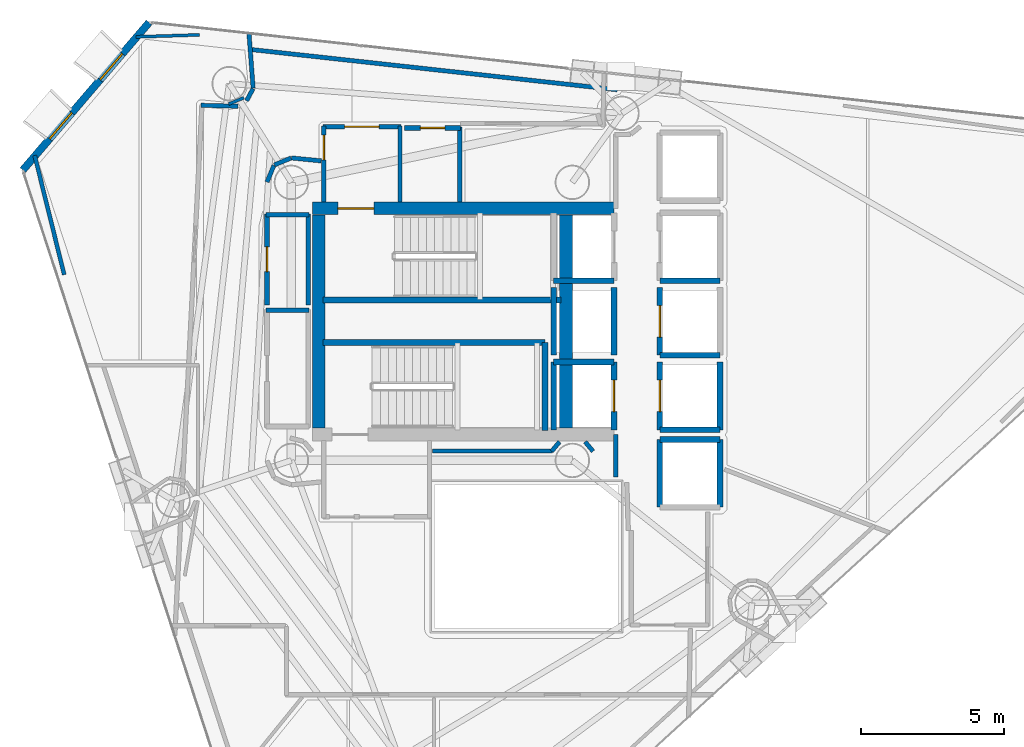
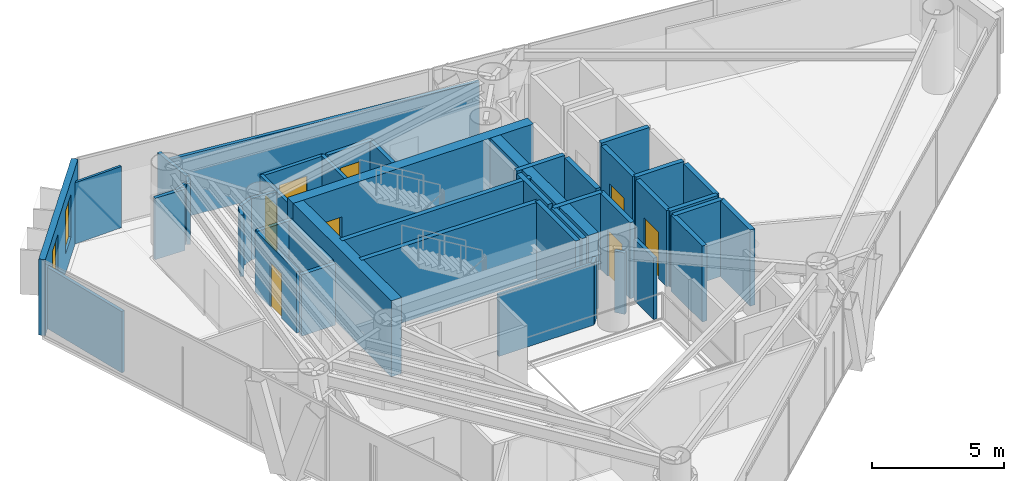
# One storey, part 20 of 24: 45 walls, 8 doors, 2 windows, 10 openings.
"""IFC4 building model written with IfcOpenShell, lengths in metres."""

import ifcopenshell
import ifcopenshell.guid

model = None  # the IFC model being written
_history = None  # IfcOwnerHistory: only IFC2X3 demands one
_inside = {}  # id of a spatial element -> (the spatial element, [elements in it])
_under = {}  # id of a project, library or spatial element -> (it, [spatial elements below it])
_declared = {}  # id of a project -> (the project, [libraries it declares])
_typed = {}  # id of a type object -> (the type object, [elements of that type])
_made_of = {}  # id of a material, layer set ... -> (it, [elements and type objects made of it])


def new_model(schema):
    """Start an empty IFC model of exactly this schema.

    Asked for "IFC4X3", IfcOpenShell would pick the latest addendum, in which some entities
    have other attributes; the version numbers below select the first issue.
    IFC2X3 requires an IfcOwnerHistory on every rooted entity: one is made here for all.
    """
    global model, _history
    if schema == "IFC4X3":
        model = ifcopenshell.file(schema_version=(4, 3, 0, 0))
    else:
        model = ifcopenshell.file(schema=schema)
    _inside.clear()
    _under.clear()
    _declared.clear()
    _typed.clear()
    _made_of.clear()
    _history = None
    if model.schema == "IFC2X3":
        org = make("IfcOrganization", Name="unknown")
        user = make(
            "IfcPersonAndOrganization",
            ThePerson=make("IfcPerson", FamilyName="unknown"),
            TheOrganization=org,
        )
        app = make(
            "IfcApplication",
            ApplicationDeveloper=org,
            Version="unknown",
            ApplicationFullName="unknown",
            ApplicationIdentifier="unknown",
        )
        _history = make(
            "IfcOwnerHistory",
            OwningUser=user,
            OwningApplication=app,
            ChangeAction="ADDED",
            CreationDate=0,
        )
    return model


def make(cls, **values):
    """One entity of the class cls with the attributes given. An attribute that is None is left unset."""
    return model.create_entity(
        cls, **{name: value for name, value in values.items() if value is not None}
    )


def rooted(cls, **values):
    """An entity with a GlobalId (a new one), such as an element, a storey or a relation."""
    return make(cls, GlobalId=ifcopenshell.guid.new(), OwnerHistory=_history, **values)


def si_unit(unit_type, name, prefix=None):
    """IfcSIUnit, for example si_unit("LENGTHUNIT", "METRE", prefix="MILLI")."""
    return make("IfcSIUnit", UnitType=unit_type, Prefix=prefix, Name=name)


def assignment(units):
    """IfcUnitAssignment: the units of a project."""
    return None if units is None else make("IfcUnitAssignment", Units=units)


def point(xyz):
    """IfcCartesianPoint."""
    return None if xyz is None else make("IfcCartesianPoint", Coordinates=xyz)


def direction(xyz):
    """IfcDirection."""
    return None if xyz is None else make("IfcDirection", DirectionRatios=xyz)


def frame(location, z_axis=None, x_axis=None):
    """IfcAxis2Placement3D, a coordinate frame: its origin and axes. An axis left out is left unset."""
    return make(
        "IfcAxis2Placement3D",
        Location=point(location),
        Axis=direction(z_axis),
        RefDirection=direction(x_axis),
    )


def frame_2d(location, x_axis=None):
    """IfcAxis2Placement2D, a coordinate frame in the plane: its origin and x axis."""
    return make(
        "IfcAxis2Placement2D", Location=point(location), RefDirection=direction(x_axis)
    )


def origin():
    """The frame at (0, 0, 0) with its axes left unset."""
    return frame((0.0, 0.0, 0.0))


def place(relative_to, where):
    """IfcLocalPlacement: puts the frame where relative to a parent placement (None: the world)."""
    return make(
        "IfcLocalPlacement", PlacementRelTo=relative_to, RelativePlacement=where
    )


def context(
    kind, dimensions, precision=None, world=None, true_north=None, identifier=None
):
    """IfcGeometricRepresentationContext, for example the 3D "Model" context."""
    return make(
        "IfcGeometricRepresentationContext",
        ContextIdentifier=identifier,
        ContextType=kind,
        CoordinateSpaceDimension=dimensions,
        Precision=precision,
        WorldCoordinateSystem=world,
        TrueNorth=true_north,
    )


def subcontext(parent, identifier, kind, view, scale=None):
    """IfcGeometricRepresentationSubContext, for example "Body" below "Model"."""
    return make(
        "IfcGeometricRepresentationSubContext",
        ContextIdentifier=identifier,
        ContextType=kind,
        ParentContext=parent,
        TargetScale=scale,
        TargetView=view,
    )


def project(units=None, contexts=None):
    """IfcProject with its units and contexts."""
    return rooted(
        "IfcProject",
        Name="project",
        RepresentationContexts=contexts,
        UnitsInContext=assignment(units),
    )


def spatial(cls, under=None, at=None, **own):
    """A site, building, storey or space (cls), placed at a placement, below another one or the project."""
    s = rooted(cls, ObjectPlacement=at, **own)
    if under is not None:
        _under.setdefault(under.id(), (under, []))[1].append(s)
    return s


def profile(cls, at=None, kind="AREA", **sizes):
    """A parametric profile (cls). Its sizes go by their IFC names, for example OverallWidth=200.0."""
    return make(cls, ProfileType=kind, Position=at, **sizes)


def rectangle(**sizes):
    """IfcRectangleProfileDef."""
    return profile("IfcRectangleProfileDef", **sizes)


def extrude(swept, where, along, depth):
    """IfcExtrudedAreaSolid: the profile swept, set in the frame where, extruded along a direction by depth."""
    return make(
        "IfcExtrudedAreaSolid",
        SweptArea=swept,
        Position=where,
        ExtrudedDirection=direction(along),
        Depth=depth,
    )


def shape(context_of_items, identifier, shape_type, items):
    """IfcShapeRepresentation: the items that make up one representation, for example the "Body"."""
    return make(
        "IfcShapeRepresentation",
        ContextOfItems=context_of_items,
        RepresentationIdentifier=identifier,
        RepresentationType=shape_type,
        Items=items,
    )


def material(Name=None, Category=None):
    """IfcMaterial."""
    return make("IfcMaterial", Name=Name, Category=Category)


def layer(
    of_material, thickness, ventilated=None, Name=None, Category=None, Priority=None
):
    """IfcMaterialLayer: one layer of a wall or slab, of a material (None: an air gap)."""
    return make(
        "IfcMaterialLayer",
        Material=of_material,
        LayerThickness=thickness,
        IsVentilated=ventilated,
        Name=Name,
        Category=Category,
        Priority=Priority,
    )


def layer_set(layers, Name=None):
    """IfcMaterialLayerSet."""
    return make("IfcMaterialLayerSet", MaterialLayers=layers, LayerSetName=Name)


def made_of(thing, what):
    """Note that an element or type object is made of a material, layer set ...; save() writes the relation."""
    if what is not None:
        _made_of.setdefault(what.id(), (what, []))[1].append(thing)
    return thing


def type_object(cls, material=None, **own):
    """A type object (cls), such as IfcWallType, which elements share."""
    return made_of(rooted(cls, **own), material)


def element(
    cls,
    number,
    at=None,
    inside=None,
    cuts=None,
    type_object=None,
    material=None,
    context=None,
    identifier="Body",
    shape_type=None,
    held_by="IfcProductDefinitionShape",
    body=None,
    shapes=None,
    **own,
):
    """One element of the class cls, such as IfcWall. Its Tag is "e" and its number.

    at: its placement. inside: the storey or other place that contains it. cuts: it is an
    opening in that element (IfcRelVoidsElement). A single representation is given by context,
    identifier, shape_type and body (its items); several are given by shapes. held_by: the class
    of the entity that holds the representations. save() writes the other relations.
    """
    e = rooted(cls, Tag="e%d" % number, ObjectPlacement=at, **own)
    if body is not None:
        shapes = [shape(context, identifier, shape_type, body)]
    if shapes is not None:
        e.Representation = make(held_by, Representations=shapes)
    if inside is not None:
        _inside.setdefault(inside.id(), (inside, []))[1].append(e)
    if cuts is not None:
        rooted(
            "IfcRelVoidsElement", RelatingBuildingElement=cuts, RelatedOpeningElement=e
        )
    if type_object is not None:
        _typed.setdefault(type_object.id(), (type_object, []))[1].append(e)
    return made_of(e, material)


def fill(opening, filler):
    """IfcRelFillsElement: the door or window that sits in an opening."""
    return rooted(
        "IfcRelFillsElement",
        RelatingOpeningElement=opening,
        RelatedBuildingElement=filler,
    )


def aggregate(whole, parts):
    """IfcRelAggregates: a whole, such as a stair, and the parts it consists of."""
    return rooted("IfcRelAggregates", RelatingObject=whole, RelatedObjects=parts)


def save(model, path):
    """Write the relations noted so far, then the file.

    IfcRelAggregates (storeys below a building ...), IfcRelContainedInSpatialStructure (elements
    in a storey), IfcRelDefinesByType, IfcRelAssociatesMaterial and IfcRelDeclares: one each for
    every whole, place, type object, material and project.
    """
    for whole, parts in _under.values():
        aggregate(whole, parts)
    for where, things in _inside.values():
        rooted(
            "IfcRelContainedInSpatialStructure",
            RelatedElements=things,
            RelatingStructure=where,
        )
    for kind, things in _typed.values():
        rooted("IfcRelDefinesByType", RelatedObjects=things, RelatingType=kind)
    for what, things in _made_of.values():
        rooted("IfcRelAssociatesMaterial", RelatedObjects=things, RelatingMaterial=what)
    for by, libraries in _declared.values():
        rooted("IfcRelDeclares", RelatingContext=by, RelatedDefinitions=libraries)
    model.write(path)


model = new_model("IFC4")

# Units and contexts
model_context = context("Model", 3, precision=1e-05, world=origin(), true_north=direction((0.0, 1.0)))
body_context = subcontext(model_context, "Body", "Model", "MODEL_VIEW")
ifc_project = project(units=[si_unit("LENGTHUNIT", "METRE"), si_unit("AREAUNIT", "SQUARE_METRE"), si_unit("VOLUMEUNIT", "CUBIC_METRE"), si_unit("PLANEANGLEUNIT", "RADIAN"), si_unit("MASSUNIT", "GRAM", prefix="KILO")], contexts=[model_context])

# Site, building, storey
site_placement = place(None, origin())
site = spatial("IfcSite", under=ifc_project, at=site_placement, CompositionType="ELEMENT")
building_placement = place(site_placement, origin())
building = spatial("IfcBuilding", under=site, at=building_placement, Name="Qianvela Tower", CompositionType="ELEMENT")
storey_placement = place(building_placement, frame((0.0, 0.0, 222.5)))
storey = spatial("IfcBuildingStorey", under=building, at=storey_placement, Name="L57", CompositionType="ELEMENT", Elevation=222.5)

# Wall, openings, windows
ifc_material_1 = material(Name="Terracotta Cladding on Concrete C40", Category="masonry")
ifc_layer_1 = layer(ifc_material_1, 0.260009765625)
ifc_layer_set_1 = layer_set([ifc_layer_1], Name="Terracotta Cladding on Concrete C40")
wall_type_1 = type_object("IfcWallType", Name="TERRACOTTA-WALL-260", PredefinedType="SOLIDWALL", material=ifc_layer_set_1)
wall_1_placement = place(storey_placement, frame((23.63720703125, 39.12841796875, 0.0), z_axis=(0.0, 0.0, 1.0), x_axis=(-0.649894951939, -0.760024046622, 0.0)))
wall_1 = element("IfcWall", 1, at=wall_1_placement, inside=storey, type_object=wall_type_1, Name="L57 Terracotta Chamfer Facet Wall 3", PredefinedType="SOLIDWALL", context=body_context, shape_type="SweptSolid", body=[
    extrude(rectangle(XDim=6.77685546875, YDim=0.260009765625, at=frame_2d((3.388427734375, 0.0))), origin(), (0.0, 0.0, 1.0), 3.52001953125),
])
opening_1_placement = place(wall_1_placement, frame((1.43310546875, 0.0, 0.89990234375)))
opening_1 = element("IfcOpeningElement", 2, at=opening_1_placement, cuts=wall_1, Name="Opening W-03", PredefinedType="OPENING", context=body_context, shape_type="SweptSolid", body=[
    extrude(rectangle(XDim=1.199951171875, YDim=2.0, at=frame_2d((0.60009765625, 1.0))), frame((0.0, 0.139892578125, 0.0), z_axis=(0.0, -1.0, 0.0), x_axis=(1.0, 0.0, 0.0)), (0.0, 0.0, 1.0), 0.280029296875),
])
opening_2_placement = place(wall_1_placement, frame((4.143798828125, 0.0, 0.89990234375)))
opening_2 = element("IfcOpeningElement", 3, at=opening_2_placement, cuts=wall_1, Name="Opening W-03", PredefinedType="OPENING", context=body_context, shape_type="SweptSolid", body=[
    extrude(rectangle(XDim=1.199951171875, YDim=2.0, at=frame_2d((0.60009765625, 1.0))), frame((0.0, 0.139892578125, 0.0), z_axis=(0.0, -1.0, 0.0), x_axis=(1.0, 0.0, 0.0)), (0.0, 0.0, 1.0), 0.280029296875),
])
ifc_material_2 = material(Name="Thermally Broken Aluminium and Low-E Glass", Category="aluminium")
window_type = type_object("IfcWindowType", Name="WIN-TC-1200x2000", PartitioningType="SINGLE_PANEL", PredefinedType="WINDOW", material=ifc_material_2)
window_1_placement = place(opening_1_placement, origin())
window_1 = element("IfcWindow", 4, at=window_1_placement, inside=storey, type_object=window_type, Name="L57 Chamfer Facet Window 3.1", OverallHeight=2.0, OverallWidth=1.199951171875, PartitioningType="SINGLE_PANEL", PredefinedType="WINDOW", context=body_context, shape_type="SweptSolid", body=[
    extrude(rectangle(XDim=1.199951171875, YDim=2.0, at=frame_2d((0.60009765625, 1.0))), frame((0.0, 0.030029296875, 0.0), z_axis=(0.0, -1.0, 0.0), x_axis=(1.0, 0.0, 0.0)), (0.0, 0.0, 1.0), 0.06005859375),
])
fill(opening_1, window_1)
window_2_placement = place(opening_2_placement, origin())
window_2 = element("IfcWindow", 5, at=window_2_placement, inside=storey, type_object=window_type, Name="L57 Chamfer Facet Window 3.2", OverallHeight=2.0, OverallWidth=1.199951171875, PartitioningType="SINGLE_PANEL", PredefinedType="WINDOW", context=body_context, shape_type="SweptSolid", body=[
    extrude(rectangle(XDim=1.199951171875, YDim=2.0, at=frame_2d((0.60009765625, 1.0))), frame((0.0, 0.030029296875, 0.0), z_axis=(0.0, -1.0, 0.0), x_axis=(1.0, 0.0, 0.0)), (0.0, 0.0, 1.0), 0.06005859375),
])
fill(opening_2, window_2)

# Wall, opening, door
ifc_material_3 = material(Name="Concrete C50", Category="concrete")
ifc_layer_2 = layer(ifc_material_3, 0.449951171875)
ifc_layer_set_2 = layer_set([ifc_layer_2], Name="Concrete C50")
wall_type_2 = type_object("IfcWallType", Name="WT-CORE-450", PredefinedType="SHEAR", material=ifc_layer_set_2)
wall_2_placement = place(storey_placement, frame((29.330078125, 32.64501953125, 0.0), z_axis=(0.0, 0.0, 1.0), x_axis=(1.0, 0.0, 0.0)))
wall_2 = element("IfcWall", 6, at=wall_2_placement, inside=storey, type_object=wall_type_2, Name="L57 North Core Shear Wall", PredefinedType="SHEAR", context=body_context, shape_type="SweptSolid", body=[
    extrude(rectangle(XDim=10.52001953125, YDim=0.449951171875, at=frame_2d((5.260009765625, 0.0))), origin(), (0.0, 0.0, 1.0), 3.52001953125),
])
opening_3_placement = place(wall_2_placement, frame((0.89501953125, 0.0, 0.0)))
opening_3 = element("IfcOpeningElement", 7, at=opening_3_placement, cuts=wall_2, Name="Opening D-ST1", PredefinedType="OPENING", context=body_context, shape_type="SweptSolid", body=[
    extrude(rectangle(XDim=1.25, YDim=2.14990234375, at=frame_2d((0.625, 1.074951171875))), frame((0.0, 0.23486328125, 0.0), z_axis=(0.0, -1.0, 0.0), x_axis=(1.0, 0.0, 0.0)), (0.0, 0.0, 1.0), 0.469970703125),
])
ifc_material_4 = material(Name="Galvanised Fire Steel Q355B", Category="steel")
door_type_1 = type_object("IfcDoorType", Name="DT-STAIR-FD90", OperationType="NOTDEFINED", PredefinedType="DOOR", material=ifc_material_4)
door_1_placement = place(opening_3_placement, origin())
door_1 = element("IfcDoor", 8, at=door_1_placement, inside=storey, type_object=door_type_1, Name="L57 Stair ST-1 Exit Door", OperationType="SINGLE_SWING_RIGHT", OverallHeight=2.14990234375, OverallWidth=1.25, PredefinedType="DOOR", context=body_context, shape_type="SweptSolid", body=[
    extrude(rectangle(XDim=1.25, YDim=2.14990234375, at=frame_2d((0.625, 1.074951171875))), frame((0.0, 0.02490234375, 0.0), z_axis=(0.0, -1.0, 0.0), x_axis=(1.0, 0.0, 0.0)), (0.0, 0.0, 1.0), 0.050048828125),
])
fill(opening_3, door_1)

# Walls
for number, where, z_axis, x_axis, name in (
    (9, (29.554931640625, 24.97998046875, 0.0), (0.0, 0.0, 1.0), (0.0, 1.0, 0.0), "L57 West Core Shear Wall"),
    (10, (38.179931640625, 24.97998046875, 0.0), (0.0, 0.0, 1.0), (0.0, 1.0, 0.0), "L57 East Spine Core Shear Wall"),
):
    element("IfcWall", number, at=place(storey_placement, frame(where, z_axis=z_axis, x_axis=x_axis)), inside=storey, type_object=wall_type_2, Name=name, PredefinedType="SHEAR", context=body_context, shape_type="SweptSolid", body=[
        extrude(rectangle(XDim=7.43994140625, YDim=0.449951171875, at=frame_2d((3.719970703125, 0.0))), origin(), (0.0, 0.0, 1.0), 3.52001953125),
    ])

# Wall, opening, door
ifc_material_5 = material(Name="Fire-Rated Acoustic Gypsum Board")
ifc_layer_3 = layer(ifc_material_5, 0.14990234375)
ifc_layer_set_3 = layer_set([ifc_layer_3], Name="Fire-Rated Acoustic Gypsum Board")
wall_type_3 = type_object("IfcWallType", Name="WT-CORR-150", PredefinedType="PARTITIONING", material=ifc_layer_set_3)
wall_3_placement = place(storey_placement, frame((29.73095703125, 32.85791015625, 0.0), z_axis=(0.0, 0.0, 1.0), x_axis=(0.0, 1.0, 0.0)))
wall_3 = element("IfcWall", 11, at=wall_3_placement, inside=storey, type_object=wall_type_3, Name="L57 Partition 2", PredefinedType="PARTITIONING", context=body_context, shape_type="SweptSolid", body=[
    extrude(rectangle(XDim=2.662109375, YDim=0.14990234375, at=frame_2d((1.3310546875, 0.0))), origin(), (0.0, 0.0, 1.0), 2.840087890625),
])
opening_4_placement = place(wall_3_placement, frame((1.478271484375, 0.0, 0.0)))
opening_4 = element("IfcOpeningElement", 12, at=opening_4_placement, cuts=wall_3, Name="Opening D-LB2", PredefinedType="OPENING", context=body_context, shape_type="SweptSolid", body=[
    extrude(rectangle(XDim=0.860107421875, YDim=2.050048828125, at=frame_2d((0.43017578125, 1.02490234375))), frame((0.0, 0.0849609375, 0.0), z_axis=(0.0, -1.0, 0.0), x_axis=(1.0, 0.0, 0.0)), (0.0, 0.0, 1.0), 0.169921875),
])
ifc_material_6 = material(Name="Insulated Steel Fire Door Q355B", Category="steel")
door_type_2 = type_object("IfcDoorType", Name="DT-LOBBY-FD90-860", OperationType="NOTDEFINED", PredefinedType="DOOR", material=ifc_material_6)
door_2_placement = place(opening_4_placement, origin())
door_2 = element("IfcDoor", 13, at=door_2_placement, inside=storey, type_object=door_type_2, Name="L57 Door L57 Firefighting Lobby North to L57 Floor Corridor", OperationType="SINGLE_SWING_RIGHT", OverallHeight=2.050048828125, OverallWidth=0.860107421875, PredefinedType="DOOR", context=body_context, shape_type="SweptSolid", body=[
    extrude(rectangle(XDim=0.860107421875, YDim=2.050048828125, at=frame_2d((0.43017578125, 1.02490234375))), frame((0.0, 0.02490234375, 0.0), z_axis=(0.0, -1.0, 0.0), x_axis=(1.0, 0.0, 0.0)), (0.0, 0.0, 1.0), 0.050048828125),
])
fill(opening_4, door_2)

wall_4_placement = place(storey_placement, frame((29.699951171875, 35.489013671875, 0.0), z_axis=(0.0, 0.0, 1.0), x_axis=(1.0, 0.0, 0.0)))
wall_4 = element("IfcWall", 14, at=wall_4_placement, inside=storey, type_object=wall_type_3, Name="L57 Partition 3", PredefinedType="PARTITIONING", context=body_context, shape_type="SweptSolid", body=[
    extrude(rectangle(XDim=2.719970703125, YDim=0.14990234375, at=frame_2d((1.35986328125, 0.0))), origin(), (0.0, 0.0, 1.0), 2.840087890625),
])
opening_5_placement = place(wall_4_placement, frame((0.760009765625, 0.0, 0.0)))
opening_5 = element("IfcOpeningElement", 15, at=opening_5_placement, cuts=wall_4, Name="Opening D-LB1", PredefinedType="OPENING", context=body_context, shape_type="SweptSolid", body=[
    extrude(rectangle(XDim=1.199951171875, YDim=2.14990234375, at=frame_2d((0.60009765625, 1.074951171875))), frame((0.0, 0.0849609375, 0.0), z_axis=(0.0, -1.0, 0.0), x_axis=(1.0, 0.0, 0.0)), (0.0, 0.0, 1.0), 0.169921875),
])
ifc_material_7 = material(Name="Glazed Fire-Rated Steel Frame", Category="steel")
door_type_3 = type_object("IfcDoorType", Name="DT-LOBBY-FD90", OperationType="NOTDEFINED", PredefinedType="DOOR", material=ifc_material_7)
door_3_placement = place(opening_5_placement, origin())
door_3 = element("IfcDoor", 16, at=door_3_placement, inside=storey, type_object=door_type_3, Name="L57 Door L57 Firefighting Lobby North to L57 Floor Corridor", OperationType="SINGLE_SWING_LEFT", OverallHeight=2.14990234375, OverallWidth=1.199951171875, PredefinedType="DOOR", context=body_context, shape_type="SweptSolid", body=[
    extrude(rectangle(XDim=1.199951171875, YDim=2.14990234375, at=frame_2d((0.60009765625, 1.074951171875))), frame((0.0, 0.02490234375, 0.0), z_axis=(0.0, -1.0, 0.0), x_axis=(1.0, 0.0, 0.0)), (0.0, 0.0, 1.0), 0.050048828125),
])
fill(opening_5, door_3)

# Walls
wall_5_placement = place(storey_placement, frame((32.388916015625, 35.52001953125, 0.0), z_axis=(0.0, 0.0, 1.0), x_axis=(0.0, -1.0, 0.0)))
element("IfcWall", 17, at=wall_5_placement, inside=storey, type_object=wall_type_3, Name="L57 Partition 4", PredefinedType="PARTITIONING", context=body_context, shape_type="SweptSolid", body=[
    extrude(rectangle(XDim=2.662109375, YDim=0.14990234375, at=frame_2d((1.3310546875, 0.0))), origin(), (0.0, 0.0, 1.0), 2.840087890625),
])
wall_6_placement = place(storey_placement, frame((39.910888671875, 23.280029296875, 0.0), z_axis=(0.0, 0.0, 1.0), x_axis=(0.0, 1.0, 0.0)))
element("IfcWall", 18, at=wall_6_placement, inside=storey, type_object=wall_type_3, Name="L57 Partition 10", PredefinedType="PARTITIONING", context=body_context, shape_type="SweptSolid", body=[
    extrude(rectangle(XDim=1.47998046875, YDim=0.14990234375, at=frame_2d((0.739990234375, 0.0))), origin(), (0.0, 0.0, 1.0), 2.840087890625),
])
for number, where, z_axis, x_axis, name in (
    (19, (39.12109375, 24.169921875, 0.0), (0.0, 0.0, 1.0), (-0.638008265708, 0.770029514296, 0.0), "L57 Partition 45"),
    (20, (37.953857421875, 24.501708984375, 0.0), (0.0, 0.0, 1.0), (-0.638008265708, -0.770029514296, 0.0), "L57 Partition 48"),
):
    element("IfcWall", number, at=place(storey_placement, frame(where, z_axis=z_axis, x_axis=x_axis)), inside=storey, type_object=wall_type_3, Name=name, PredefinedType="PARTITIONING", context=body_context, shape_type="SweptSolid", body=[
        extrude(rectangle(XDim=0.430908203125, YDim=0.14990234375, at=frame_2d((0.21533203125, 0.0))), origin(), (0.0, 0.0, 1.0), 2.840087890625),
    ])
wall_7_placement = place(storey_placement, frame((37.70263671875, 24.180908203125, 0.0), z_axis=(0.0, 0.0, 1.0), x_axis=(-1.0, 0.0, 0.0)))
element("IfcWall", 21, at=wall_7_placement, inside=storey, type_object=wall_type_3, Name="L57 Partition 49", PredefinedType="PARTITIONING", context=body_context, shape_type="SweptSolid", body=[
    extrude(rectangle(XDim=4.172607421875, YDim=0.14990234375, at=frame_2d((2.08642578125, 0.0))), origin(), (0.0, 0.0, 1.0), 2.840087890625),
])
wall_8_placement = place(storey_placement, frame((27.26611328125, 36.83447265625, 0.0), z_axis=(0.0, 0.0, 1.0), x_axis=(-0.075645576075, 0.997134768635, 0.0)))
element("IfcWall", 22, at=wall_8_placement, inside=storey, type_object=wall_type_3, Name="L57 Partition 50", PredefinedType="PARTITIONING", context=body_context, shape_type="SweptSolid", body=[
    extrude(rectangle(XDim=1.9365234375, YDim=0.14990234375, at=frame_2d((0.96826171875, 0.0))), origin(), (0.0, 0.0, 1.0), 2.840087890625),
])
wall_9_placement = place(storey_placement, frame((27.12646484375, 38.190673828125, 0.0), z_axis=(0.0, 0.0, 1.0), x_axis=(0.994011622538, -0.10927439892, 0.0)))
element("IfcWall", 23, at=wall_9_placement, inside=storey, type_object=wall_type_3, Name="L57 Partition 51", PredefinedType="PARTITIONING", context=body_context, shape_type="SweptSolid", body=[
    extrude(rectangle(XDim=12.922607421875, YDim=0.14990234375, at=frame_2d((6.46142578125, 0.0))), origin(), (0.0, 0.0, 1.0), 2.840087890625),
])
wall_10_placement = place(storey_placement, frame((29.64111328125, 34.298583984375, 0.0), z_axis=(0.0, 0.0, 1.0), x_axis=(-0.995179827095, 0.098066873836, 0.0)))
element("IfcWall", 24, at=wall_10_placement, inside=storey, type_object=wall_type_3, Name="L57 Partition 56", PredefinedType="PARTITIONING", context=body_context, shape_type="SweptSolid", body=[
    extrude(rectangle(XDim=1.043212890625, YDim=0.14990234375, at=frame_2d((0.521484375, 0.0))), origin(), (0.0, 0.0, 1.0), 2.840087890625),
])
wall_11_placement = place(storey_placement, frame((28.588134765625, 34.398681640625, 0.0), z_axis=(0.0, 0.0, 1.0), x_axis=(-0.923846138666, -0.382764042293, 0.0)))
element("IfcWall", 25, at=wall_11_placement, inside=storey, type_object=wall_type_3, Name="L57 Partition 57", PredefinedType="PARTITIONING", context=body_context, shape_type="SweptSolid", body=[
    extrude(rectangle(XDim=0.627685546875, YDim=0.14990234375, at=frame_2d((0.31396484375, 0.0))), origin(), (0.0, 0.0, 1.0), 2.840087890625),
])
wall_12_placement = place(storey_placement, frame((27.991455078125, 34.1416015625, 0.0), z_axis=(0.0, 0.0, 1.0), x_axis=(-0.382569489008, -0.923926721164, 0.0)))
element("IfcWall", 26, at=wall_12_placement, inside=storey, type_object=wall_type_3, Name="L57 Partition 58", PredefinedType="PARTITIONING", context=body_context, shape_type="SweptSolid", body=[
    extrude(rectangle(XDim=0.627197265625, YDim=0.14990234375, at=frame_2d((0.3134765625, 0.0))), origin(), (0.0, 0.0, 1.0), 2.840087890625),
])
wall_13_placement = place(storey_placement, frame((25.44921875, 36.237548828125, 0.0), z_axis=(0.0, 0.0, 1.0), x_axis=(0.999651698073, -0.026390955635, 0.0)))
element("IfcWall", 27, at=wall_13_placement, inside=storey, type_object=wall_type_3, Name="L57 Partition 74", PredefinedType="PARTITIONING", context=body_context, shape_type="SweptSolid", body=[
    extrude(rectangle(XDim=1.295166015625, YDim=0.14990234375, at=frame_2d((0.6474609375, 0.0))), origin(), (0.0, 0.0, 1.0), 2.840087890625),
])
wall_14_placement = place(storey_placement, frame((27.0380859375, 36.397705078125, 0.0), z_axis=(0.0, 0.0, 1.0), x_axis=(0.471865548338, 0.881670519123, 0.0)))
element("IfcWall", 28, at=wall_14_placement, inside=storey, type_object=wall_type_3, Name="L57 Partition 75", PredefinedType="PARTITIONING", context=body_context, shape_type="SweptSolid", body=[
    extrude(rectangle(XDim=0.47607421875, YDim=0.14990234375, at=frame_2d((0.238037109375, 0.0))), origin(), (0.0, 0.0, 1.0), 2.840087890625),
])
ifc_material_8 = material(Name="Lightweight Gypsum Room Partition")
ifc_layer_4 = layer(ifc_material_8, 0.10498046875)
ifc_layer_set_4 = layer_set([ifc_layer_4], Name="Lightweight Gypsum Room Partition")
wall_type_4 = type_object("IfcWallType", Name="WT-PART-105", PredefinedType="PARTITIONING", material=ifc_layer_set_4)
wall_15_placement = place(storey_placement, frame((26.944580078125, 36.500732421875, 0.0), z_axis=(0.0, 0.0, 1.0), x_axis=(-0.923881792955, -0.382677975126, 0.0)))
element("IfcWall", 29, at=wall_15_placement, inside=storey, type_object=wall_type_4, Name="L57 Partition 151", PredefinedType="PARTITIONING", context=body_context, shape_type="SweptSolid", body=[
    extrude(rectangle(XDim=0.572998046875, YDim=0.10498046875, at=frame_2d((0.28662109375, 0.0))), origin(), (0.0, 0.0, 1.0), 2.840087890625),
])
wall_16_placement = place(storey_placement, frame((23.18408203125, 38.6240234375, 0.0), z_axis=(0.0, 0.0, 1.0), x_axis=(0.999506468245, 0.031413690279, 0.0)))
element("IfcWall", 30, at=wall_16_placement, inside=storey, type_object=wall_type_4, Name="L57 Partition 157 seg 1", PredefinedType="PARTITIONING", context=body_context, shape_type="SweptSolid", body=[
    extrude(rectangle(XDim=2.21484375, YDim=0.10498046875, at=frame_2d((1.107421875, 0.0))), origin(), (0.0, 0.0, 1.0), 2.840087890625),
])

# Wall, opening, door
ifc_material_9 = material(Name="Sanitary Service Chase Partition")
ifc_layer_5 = layer(ifc_material_9, 0.1650390625)
ifc_layer_set_5 = layer_set([ifc_layer_5], Name="Sanitary Service Chase Partition")
wall_type_5 = type_object("IfcWallType", Name="WT-PLUMB-165", PredefinedType="PLUMBINGWALL", material=ifc_layer_set_5)
wall_17_placement = place(storey_placement, frame((32.550048828125, 35.448974609375, 0.0), z_axis=(0.0, 0.0, 1.0), x_axis=(1.0, 0.0, 0.0)))
wall_17 = element("IfcWall", 31, at=wall_17_placement, inside=storey, type_object=wall_type_5, Name="L57 Partition 22", PredefinedType="PLUMBINGWALL", context=body_context, shape_type="SweptSolid", body=[
    extrude(rectangle(XDim=1.949951171875, YDim=0.1650390625, at=frame_2d((0.97509765625, 0.0))), origin(), (0.0, 0.0, 1.0), 2.840087890625),
])
opening_6_placement = place(wall_17_placement, frame((0.544921875, 0.0, 0.0)))
opening_6 = element("IfcOpeningElement", 32, at=opening_6_placement, cuts=wall_17, Name="Opening D-WC1", PredefinedType="OPENING", context=body_context, shape_type="SweptSolid", body=[
    extrude(rectangle(XDim=0.860107421875, YDim=2.050048828125, at=frame_2d((0.43017578125, 1.02490234375))), frame((0.0, 0.092529296875, 0.0), z_axis=(0.0, -1.0, 0.0), x_axis=(1.0, 0.0, 0.0)), (0.0, 0.0, 1.0), 0.18505859375),
])
ifc_material_10 = material(Name="Moisture-Sealed Acoustic Timber Door", Category="wood")
door_type_4 = type_object("IfcDoorType", Name="DT-WC-860", OperationType="NOTDEFINED", PredefinedType="DOOR", material=ifc_material_10)
door_4_placement = place(opening_6_placement, origin())
door_4 = element("IfcDoor", 33, at=door_4_placement, inside=storey, type_object=door_type_4, Name="L57 Door L57 Accessible WC to L57 Floor Corridor", OperationType="SINGLE_SWING_RIGHT", OverallHeight=2.050048828125, OverallWidth=0.860107421875, PredefinedType="DOOR", context=body_context, shape_type="SweptSolid", body=[
    extrude(rectangle(XDim=0.860107421875, YDim=2.050048828125, at=frame_2d((0.43017578125, 1.02490234375))), frame((0.0, 0.02490234375, 0.0), z_axis=(0.0, -1.0, 0.0), x_axis=(1.0, 0.0, 0.0)), (0.0, 0.0, 1.0), 0.050048828125),
])
fill(opening_6, door_4)

# Walls
wall_18_placement = place(storey_placement, frame((34.468994140625, 35.47998046875, 0.0), z_axis=(0.0, 0.0, 1.0), x_axis=(0.0, -1.0, 0.0)))
element("IfcWall", 34, at=wall_18_placement, inside=storey, type_object=wall_type_5, Name="L57 Partition 23", PredefinedType="PLUMBINGWALL", context=body_context, shape_type="SweptSolid", body=[
    extrude(rectangle(XDim=2.6220703125, YDim=0.1650390625, at=frame_2d((1.31103515625, 0.0))), origin(), (0.0, 0.0, 1.0), 2.840087890625),
])
wall_19_placement = place(storey_placement, frame((27.719970703125, 29.089111328125, 0.0), z_axis=(0.0, 0.0, 1.0), x_axis=(1.0, 0.0, 0.0)))
element("IfcWall", 35, at=wall_19_placement, inside=storey, type_object=wall_type_5, Name="L57 Partition 25", PredefinedType="PLUMBINGWALL", context=body_context, shape_type="SweptSolid", body=[
    extrude(rectangle(XDim=1.5, YDim=0.1650390625, at=frame_2d((0.75, 0.0))), origin(), (0.0, 0.0, 1.0), 2.840087890625),
])

# Wall, opening, door
wall_20_placement = place(storey_placement, frame((27.7509765625, 29.280029296875, 0.0), z_axis=(0.0, 0.0, 1.0), x_axis=(0.0, 1.0, 0.0)))
wall_20 = element("IfcWall", 36, at=wall_20_placement, inside=storey, type_object=wall_type_5, Name="L57 Partition 28", PredefinedType="PLUMBINGWALL", context=body_context, shape_type="SweptSolid", body=[
    extrude(rectangle(XDim=3.169921875, YDim=0.1650390625, at=frame_2d((1.5849609375, 0.0))), origin(), (0.0, 0.0, 1.0), 2.840087890625),
])
opening_7_placement = place(wall_20_placement, frame((1.155029296875, 0.0, 0.0)))
opening_7 = element("IfcOpeningElement", 37, at=opening_7_placement, cuts=wall_20, Name="Opening D-WC1", PredefinedType="OPENING", context=body_context, shape_type="SweptSolid", body=[
    extrude(rectangle(XDim=0.860107421875, YDim=2.050048828125, at=frame_2d((0.43017578125, 1.02490234375))), frame((0.0, 0.092529296875, 0.0), z_axis=(0.0, -1.0, 0.0), x_axis=(1.0, 0.0, 0.0)), (0.0, 0.0, 1.0), 0.18505859375),
])
door_5_placement = place(opening_7_placement, origin())
door_5 = element("IfcDoor", 38, at=door_5_placement, inside=storey, type_object=door_type_4, Name="L57 Door L57 Accessible WC to L57 Floor Corridor", OperationType="SINGLE_SWING_RIGHT", OverallHeight=2.050048828125, OverallWidth=0.860107421875, PredefinedType="DOOR", context=body_context, shape_type="SweptSolid", body=[
    extrude(rectangle(XDim=0.860107421875, YDim=2.050048828125, at=frame_2d((0.43017578125, 1.02490234375))), frame((0.0, 0.02490234375, 0.0), z_axis=(0.0, -1.0, 0.0), x_axis=(1.0, 0.0, 0.0)), (0.0, 0.0, 1.0), 0.050048828125),
])
fill(opening_7, door_5)

# Walls
wall_21_placement = place(storey_placement, frame((27.719970703125, 32.4189453125, 0.0), z_axis=(0.0, 0.0, 1.0), x_axis=(1.0, 0.0, 0.0)))
element("IfcWall", 39, at=wall_21_placement, inside=storey, type_object=wall_type_5, Name="L57 Partition 29", PredefinedType="PLUMBINGWALL", context=body_context, shape_type="SweptSolid", body=[
    extrude(rectangle(XDim=1.5, YDim=0.1650390625, at=frame_2d((0.75, 0.0))), origin(), (0.0, 0.0, 1.0), 2.840087890625),
])
wall_22_placement = place(storey_placement, frame((29.18896484375, 32.449951171875, 0.0), z_axis=(0.0, 0.0, 1.0), x_axis=(0.0, -1.0, 0.0)))
element("IfcWall", 40, at=wall_22_placement, inside=storey, type_object=wall_type_5, Name="L57 Partition 30", PredefinedType="PLUMBINGWALL", context=body_context, shape_type="SweptSolid", body=[
    extrude(rectangle(XDim=3.169921875, YDim=0.1650390625, at=frame_2d((1.5849609375, 0.0))), origin(), (0.0, 0.0, 1.0), 2.840087890625),
])
ifc_material_11 = material(Name="Acoustic Double Gypsum Stud Partition")
ifc_layer_6 = layer(ifc_material_11, 0.139892578125)
ifc_layer_set_6 = layer_set([ifc_layer_6], Name="Acoustic Double Gypsum Stud Partition")
wall_type_6 = type_object("IfcWallType", Name="WT-ROOM-140", PredefinedType="PARTITIONING", material=ifc_layer_set_6)
wall_23_placement = place(storey_placement, frame((20.6767578125, 30.328125, 0.0), z_axis=(0.0, 0.0, 1.0), x_axis=(-0.240551025979, 0.970636494214, 0.0)))
element("IfcWall", 41, at=wall_23_placement, inside=storey, type_object=wall_type_6, Name="L57 Partition 155 seg 1", PredefinedType="PARTITIONING", context=body_context, shape_type="SweptSolid", body=[
    extrude(rectangle(XDim=4.284912109375, YDim=0.139892578125, at=frame_2d((2.142578125, 0.0))), origin(), (0.0, 0.0, 1.0), 2.840087890625),
])
ifc_material_12 = material(Name="Concrete C50", Category="concrete")
ifc_layer_7 = layer(ifc_material_12, 0.199951171875)
ifc_layer_set_7 = layer_set([ifc_layer_7], Name="Concrete C50")
wall_type_7 = type_object("IfcWallType", Name="WT-SHAFT-200", PredefinedType="SOLIDWALL", material=ifc_layer_set_7)
wall_24_placement = place(storey_placement, frame((29.699951171875, 29.449951171875, 0.0), z_axis=(0.0, 0.0, 1.0), x_axis=(1.0, 0.0, 0.0)))
element("IfcWall", 42, at=wall_24_placement, inside=storey, type_object=wall_type_7, Name="L57 Stair ST-1 South Wall", PredefinedType="SOLIDWALL", context=body_context, shape_type="SweptSolid", body=[
    extrude(rectangle(XDim=8.300048828125, YDim=0.199951171875, at=frame_2d((4.14990234375, 0.0))), origin(), (0.0, 0.0, 1.0), 3.52001953125),
])
wall_25_placement = place(storey_placement, frame((29.699951171875, 27.9599609375, 0.0), z_axis=(0.0, 0.0, 1.0), x_axis=(1.0, 0.0, 0.0)))
element("IfcWall", 43, at=wall_25_placement, inside=storey, type_object=wall_type_7, Name="L57 Stair ST-2 North Wall", PredefinedType="SOLIDWALL", context=body_context, shape_type="SweptSolid", body=[
    extrude(rectangle(XDim=7.75, YDim=0.199951171875, at=frame_2d((3.875, 0.0))), origin(), (0.0, 0.0, 1.0), 3.52001953125),
])
wall_26_placement = place(storey_placement, frame((37.449951171875, 24.89990234375, 0.0), z_axis=(0.0, 0.0, 1.0), x_axis=(0.0, 1.0, 0.0)))
element("IfcWall", 44, at=wall_26_placement, inside=storey, type_object=wall_type_7, Name="L57 Stair ST-2 East Wall", PredefinedType="SOLIDWALL", context=body_context, shape_type="SweptSolid", body=[
    extrude(rectangle(XDim=3.06005859375, YDim=0.199951171875, at=frame_2d((1.530029296875, 0.0))), origin(), (0.0, 0.0, 1.0), 3.52001953125),
])
wall_27_placement = place(storey_placement, frame((37.75, 30.1201171875, 0.0), z_axis=(0.0, 0.0, 1.0), x_axis=(1.0, 0.0, 0.0)))
element("IfcWall", 45, at=wall_27_placement, inside=storey, type_object=wall_type_7, Name="L57 Lift FL-1 S Shaft Wall", PredefinedType="SOLIDWALL", context=body_context, shape_type="SweptSolid", body=[
    extrude(rectangle(XDim=2.10009765625, YDim=0.199951171875, at=frame_2d((1.050048828125, 0.0))), origin(), (0.0, 0.0, 1.0), 3.52001953125),
])

# Wall, opening, door
wall_28_placement = place(storey_placement, frame((39.85009765625, 24.919921875, 0.0), z_axis=(0.0, 0.0, 1.0), x_axis=(0.0, 1.0, 0.0)))
wall_28 = element("IfcWall", 46, at=wall_28_placement, inside=storey, type_object=wall_type_7, Name="L57 Lift FL-2 E Shaft Wall", PredefinedType="SOLIDWALL", context=body_context, shape_type="SweptSolid", body=[
    extrude(rectangle(XDim=2.360107421875, YDim=0.199951171875, at=frame_2d((1.18017578125, 0.0))), origin(), (0.0, 0.0, 1.0), 3.52001953125),
])
opening_8_placement = place(wall_28_placement, frame((0.6298828125, 0.0, 0.0)))
opening_8 = element("IfcOpeningElement", 47, at=opening_8_placement, cuts=wall_28, Name="Opening LD-01", PredefinedType="OPENING", context=body_context, shape_type="SweptSolid", body=[
    extrude(rectangle(XDim=1.10009765625, YDim=2.14990234375, at=frame_2d((0.550048828125, 1.074951171875))), frame((0.0, 0.10986328125, 0.0), z_axis=(0.0, -1.0, 0.0), x_axis=(1.0, 0.0, 0.0)), (0.0, 0.0, 1.0), 0.219970703125),
])
ifc_material_13 = material(Name="Brushed Stainless Steel Lift Landing Door", Category="steel")
door_type_5 = type_object("IfcDoorType", Name="DT-LIFT-SLIDE-1100", OperationType="SLIDING_TO_LEFT", PredefinedType="DOOR", material=ifc_material_13)
door_6_placement = place(opening_8_placement, origin())
door_6 = element("IfcDoor", 48, at=door_6_placement, inside=storey, type_object=door_type_5, Name="L57 Lift FL-2 Sliding Landing Door", OperationType="SLIDING_TO_LEFT", OverallHeight=2.14990234375, OverallWidth=1.10009765625, PredefinedType="DOOR", context=body_context, shape_type="SweptSolid", body=[
    extrude(rectangle(XDim=1.10009765625, YDim=2.14990234375, at=frame_2d((0.550048828125, 1.074951171875))), frame((0.0, 0.02490234375, 0.0), z_axis=(0.0, -1.0, 0.0), x_axis=(1.0, 0.0, 0.0)), (0.0, 0.0, 1.0), 0.050048828125),
])
fill(opening_8, door_6)

# Walls
wall_29_placement = place(storey_placement, frame((37.75, 24.919921875, 0.0), z_axis=(0.0, 0.0, 1.0), x_axis=(0.0, 1.0, 0.0)))
element("IfcWall", 49, at=wall_29_placement, inside=storey, type_object=wall_type_7, Name="L57 Lift FL-2 W Shaft Wall", PredefinedType="SOLIDWALL", context=body_context, shape_type="SweptSolid", body=[
    extrude(rectangle(XDim=2.360107421875, YDim=0.199951171875, at=frame_2d((1.18017578125, 0.0))), origin(), (0.0, 0.0, 1.0), 3.52001953125),
])
for number, where, z_axis, x_axis, name in (
    (50, (37.75, 27.280029296875, 0.0), (0.0, 0.0, 1.0), (1.0, 0.0, 0.0), "L57 Lift FL-2 N Shaft Wall"),
    (51, (41.449951171875, 30.1201171875, 0.0), (0.0, 0.0, 1.0), (1.0, 0.0, 0.0), "L57 Lift PL-M1 S Shaft Wall"),
):
    element("IfcWall", number, at=place(storey_placement, frame(where, z_axis=z_axis, x_axis=x_axis)), inside=storey, type_object=wall_type_7, Name=name, PredefinedType="SOLIDWALL", context=body_context, shape_type="SweptSolid", body=[
        extrude(rectangle(XDim=2.10009765625, YDim=0.199951171875, at=frame_2d((1.050048828125, 0.0))), origin(), (0.0, 0.0, 1.0), 3.52001953125),
    ])

# Wall, opening, door
wall_30_placement = place(storey_placement, frame((41.449951171875, 27.52001953125, 0.0), z_axis=(0.0, 0.0, 1.0), x_axis=(0.0, 1.0, 0.0)))
wall_30 = element("IfcWall", 52, at=wall_30_placement, inside=storey, type_object=wall_type_7, Name="L57 Lift PL-M2 W Shaft Wall", PredefinedType="SOLIDWALL", context=body_context, shape_type="SweptSolid", body=[
    extrude(rectangle(XDim=2.35986328125, YDim=0.199951171875, at=frame_2d((1.179931640625, 0.0))), origin(), (0.0, 0.0, 1.0), 3.52001953125),
])
opening_9_placement = place(wall_30_placement, frame((0.6298828125, 0.0, 0.0)))
opening_9 = element("IfcOpeningElement", 53, at=opening_9_placement, cuts=wall_30, Name="Opening LD-01", PredefinedType="OPENING", context=body_context, shape_type="SweptSolid", body=[
    extrude(rectangle(XDim=1.10009765625, YDim=2.14990234375, at=frame_2d((0.550048828125, 1.074951171875))), frame((0.0, 0.10986328125, 0.0), z_axis=(0.0, -1.0, 0.0), x_axis=(1.0, 0.0, 0.0)), (0.0, 0.0, 1.0), 0.219970703125),
])
door_7_placement = place(opening_9_placement, origin())
door_7 = element("IfcDoor", 54, at=door_7_placement, inside=storey, type_object=door_type_5, Name="L57 Lift PL-M2 Sliding Landing Door", OperationType="SLIDING_TO_LEFT", OverallHeight=2.14990234375, OverallWidth=1.10009765625, PredefinedType="DOOR", context=body_context, shape_type="SweptSolid", body=[
    extrude(rectangle(XDim=1.10009765625, YDim=2.14990234375, at=frame_2d((0.550048828125, 1.074951171875))), frame((0.0, 0.02490234375, 0.0), z_axis=(0.0, -1.0, 0.0), x_axis=(1.0, 0.0, 0.0)), (0.0, 0.0, 1.0), 0.050048828125),
])
fill(opening_9, door_7)

# Walls
wall_31_placement = place(storey_placement, frame((41.449951171875, 27.52001953125, 0.0), z_axis=(0.0, 0.0, 1.0), x_axis=(1.0, 0.0, 0.0)))
element("IfcWall", 55, at=wall_31_placement, inside=storey, type_object=wall_type_7, Name="L57 Lift PL-M2 S Shaft Wall", PredefinedType="SOLIDWALL", context=body_context, shape_type="SweptSolid", body=[
    extrude(rectangle(XDim=2.10009765625, YDim=0.199951171875, at=frame_2d((1.050048828125, 0.0))), origin(), (0.0, 0.0, 1.0), 3.52001953125),
])
wall_32_placement = place(storey_placement, frame((43.550048828125, 24.919921875, 0.0), z_axis=(0.0, 0.0, 1.0), x_axis=(0.0, 1.0, 0.0)))
element("IfcWall", 56, at=wall_32_placement, inside=storey, type_object=wall_type_7, Name="L57 Lift PL-M3 E Shaft Wall", PredefinedType="SOLIDWALL", context=body_context, shape_type="SweptSolid", body=[
    extrude(rectangle(XDim=2.360107421875, YDim=0.199951171875, at=frame_2d((1.18017578125, 0.0))), origin(), (0.0, 0.0, 1.0), 3.52001953125),
])

# Wall, opening, door
wall_33_placement = place(storey_placement, frame((41.449951171875, 24.919921875, 0.0), z_axis=(0.0, 0.0, 1.0), x_axis=(0.0, 1.0, 0.0)))
wall_33 = element("IfcWall", 57, at=wall_33_placement, inside=storey, type_object=wall_type_7, Name="L57 Lift PL-M3 W Shaft Wall", PredefinedType="SOLIDWALL", context=body_context, shape_type="SweptSolid", body=[
    extrude(rectangle(XDim=2.360107421875, YDim=0.199951171875, at=frame_2d((1.18017578125, 0.0))), origin(), (0.0, 0.0, 1.0), 3.52001953125),
])
opening_10_placement = place(wall_33_placement, frame((0.6298828125, 0.0, 0.0)))
opening_10 = element("IfcOpeningElement", 58, at=opening_10_placement, cuts=wall_33, Name="Opening LD-01", PredefinedType="OPENING", context=body_context, shape_type="SweptSolid", body=[
    extrude(rectangle(XDim=1.10009765625, YDim=2.14990234375, at=frame_2d((0.550048828125, 1.074951171875))), frame((0.0, 0.10986328125, 0.0), z_axis=(0.0, -1.0, 0.0), x_axis=(1.0, 0.0, 0.0)), (0.0, 0.0, 1.0), 0.219970703125),
])
door_8_placement = place(opening_10_placement, origin())
door_8 = element("IfcDoor", 59, at=door_8_placement, inside=storey, type_object=door_type_5, Name="L57 Lift PL-M3 Sliding Landing Door", OperationType="SLIDING_TO_LEFT", OverallHeight=2.14990234375, OverallWidth=1.10009765625, PredefinedType="DOOR", context=body_context, shape_type="SweptSolid", body=[
    extrude(rectangle(XDim=1.10009765625, YDim=2.14990234375, at=frame_2d((0.550048828125, 1.074951171875))), frame((0.0, 0.02490234375, 0.0), z_axis=(0.0, -1.0, 0.0), x_axis=(1.0, 0.0, 0.0)), (0.0, 0.0, 1.0), 0.050048828125),
])
fill(opening_10, door_8)

# Walls
wall_34_placement = place(storey_placement, frame((41.449951171875, 24.919921875, 0.0), z_axis=(0.0, 0.0, 1.0), x_axis=(1.0, 0.0, 0.0)))
element("IfcWall", 60, at=wall_34_placement, inside=storey, type_object=wall_type_7, Name="L57 Lift PL-M3 S Shaft Wall", PredefinedType="SOLIDWALL", context=body_context, shape_type="SweptSolid", body=[
    extrude(rectangle(XDim=2.10009765625, YDim=0.199951171875, at=frame_2d((1.050048828125, 0.0))), origin(), (0.0, 0.0, 1.0), 3.52001953125),
])
for number, where, z_axis, x_axis, name in (
    (61, (39.85009765625, 27.52001953125, 0.0), (0.0, 0.0, 1.0), (0.0, 1.0, 0.0), "L57 Lift PL-H1 E Shaft Wall"),
    (62, (37.75, 27.52001953125, 0.0), (0.0, 0.0, 1.0), (0.0, 1.0, 0.0), "L57 Lift PL-H1 W Shaft Wall"),
):
    element("IfcWall", number, at=place(storey_placement, frame(where, z_axis=z_axis, x_axis=x_axis)), inside=storey, type_object=wall_type_7, Name=name, PredefinedType="SOLIDWALL", context=body_context, shape_type="SweptSolid", body=[
        extrude(rectangle(XDim=2.35986328125, YDim=0.199951171875, at=frame_2d((1.179931640625, 0.0))), origin(), (0.0, 0.0, 1.0), 3.52001953125),
    ])
for number, where, z_axis, x_axis, name in (
    (63, (43.550048828125, 22.219970703125, 0.0), (0.0, 0.0, 1.0), (0.0, 1.0, 0.0), "L57 Lift PL-H2 E Shaft Wall"),
    (64, (41.449951171875, 22.219970703125, 0.0), (0.0, 0.0, 1.0), (0.0, 1.0, 0.0), "L57 Lift PL-H2 W Shaft Wall"),
):
    element("IfcWall", number, at=place(storey_placement, frame(where, z_axis=z_axis, x_axis=x_axis)), inside=storey, type_object=wall_type_7, Name=name, PredefinedType="SOLIDWALL", context=body_context, shape_type="SweptSolid", body=[
        extrude(rectangle(XDim=2.360107421875, YDim=0.199951171875, at=frame_2d((1.18017578125, 0.0))), origin(), (0.0, 0.0, 1.0), 3.52001953125),
    ])
wall_35_placement = place(storey_placement, frame((41.449951171875, 24.580078125, 0.0), z_axis=(0.0, 0.0, 1.0), x_axis=(1.0, 0.0, 0.0)))
element("IfcWall", 65, at=wall_35_placement, inside=storey, type_object=wall_type_7, Name="L57 Lift PL-H2 N Shaft Wall", PredefinedType="SOLIDWALL", context=body_context, shape_type="SweptSolid", body=[
    extrude(rectangle(XDim=2.10009765625, YDim=0.199951171875, at=frame_2d((1.050048828125, 0.0))), origin(), (0.0, 0.0, 1.0), 3.52001953125),
])

save(model, "model.ifc")
